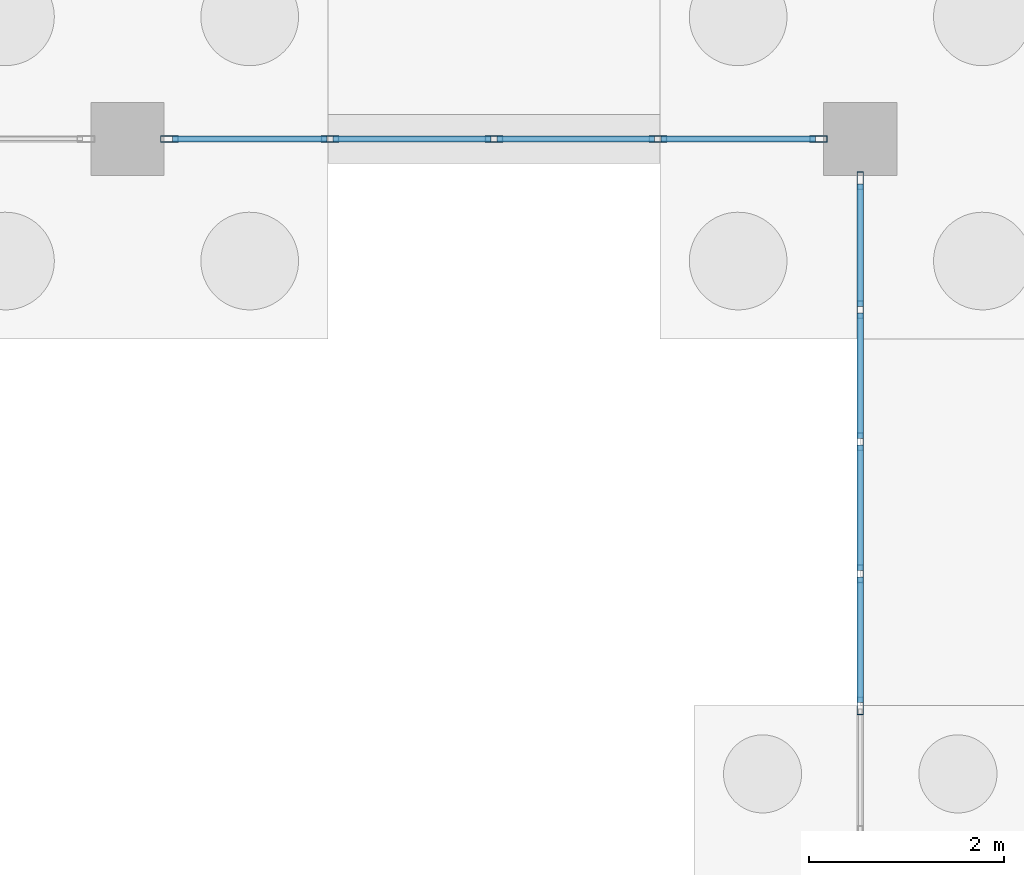
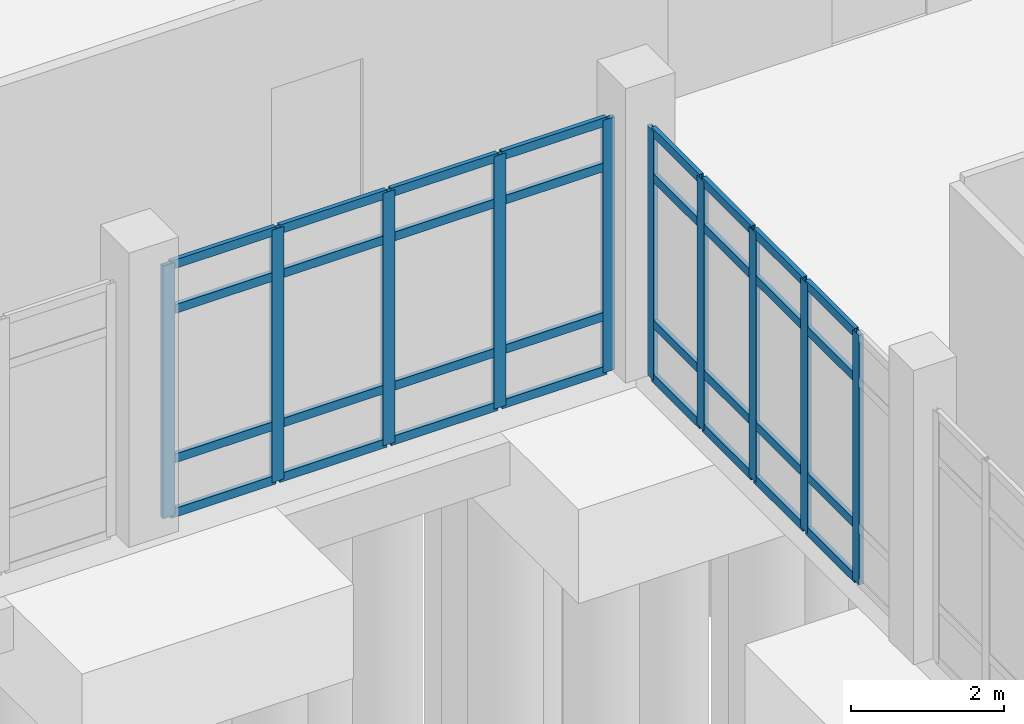
# One storey, part 32 of 173: 42 members, 2 elements without a shape of their own.
"""IFC4 building model written with IfcOpenShell, lengths in metres."""

from ifc_helpers import new_model, si_unit, direction, frame, origin, origin_2d, place, context, subcontext, project, spatial, hollow_rectangle, extrude, material, layer, layer_set, material_profile, profile_set, type_object, element, aggregate, save


model = new_model("IFC4")

# Units and contexts
model_context = context("Model", 3, precision=1e-05, world=origin(), true_north=direction((0.0, 1.0)))
body_context = subcontext(model_context, "Body", "Model", "MODEL_VIEW")
ifc_project = project(units=[si_unit("LENGTHUNIT", "METRE"), si_unit("AREAUNIT", "SQUARE_METRE"), si_unit("VOLUMEUNIT", "CUBIC_METRE"), si_unit("PLANEANGLEUNIT", "RADIAN"), si_unit("MASSUNIT", "GRAM", prefix="KILO")], contexts=[model_context])

# Site, building, storey
site_placement = place(None, origin())
site = spatial("IfcSite", under=ifc_project, at=site_placement, CompositionType="ELEMENT")
building_placement = place(site_placement, origin())
building = spatial("IfcBuilding", under=site, at=building_placement, Name="Mawjan Specialist Oncology Clinic", CompositionType="ELEMENT")
storey_placement = place(building_placement, origin())
storey = spatial("IfcBuildingStorey", under=building, at=storey_placement, Name="L00", CompositionType="ELEMENT", Elevation=0.0)

# Curtain wall, members
ifc_material_1 = material(Name="Unitised spectrally selective aluminium curtain wall", Category="aluminium")
ifc_layer_1 = layer(ifc_material_1, 0.179931640625, Name="Unitised spectrally selective aluminium curtain wall", Category="aluminium")
ifc_layer_set_1 = layer_set([ifc_layer_1], Name="Unitised spectrally selective aluminium curtain wall")
curtain_wall_type_1 = type_object("IfcCurtainWallType", Name="CW-28", PredefinedType="NOTDEFINED", material=ifc_layer_set_1)
curtain_wall_1_placement = place(storey_placement, origin())
curtain_wall_1 = element("IfcCurtainWall", 1, at=curtain_wall_1_placement, inside=storey, type_object=curtain_wall_type_1, Name="L00 Unitised Curtain Wall CW-L00-051", PredefinedType="NOTDEFINED")
ifc_material_2 = material(Name="Thermally broken aluminium 6063-T6", Category="aluminium")
ifc_material_profile_1 = material_profile(ifc_material_2, hollow_rectangle(XDim=0.06494140625, YDim=0.179931640625, WallThickness=0.00390625, at=origin_2d()), Name="ALU MULLION 180x65x4", Category="aluminium")
ifc_profile_set_1 = profile_set([ifc_material_profile_1], Name="Thermally broken aluminium 6063-T6")
member_type_1 = type_object("IfcMemberType", Name="CW-M180", PredefinedType="MULLION", material=ifc_profile_set_1)
member_1_placement = place(storey_placement, frame((30.0, 24.9970703125, 0.0), z_axis=(0.0, 0.0, 1.0), x_axis=(-1.0, 0.0, 0.0)))
member_1 = element("IfcMember", 2, at=member_1_placement, type_object=member_type_1, Name="CW-28 mullion 2", PredefinedType="MULLION", context=body_context, shape_type="SweptSolid", body=[
    extrude(hollow_rectangle(XDim=0.06494140625, YDim=0.179931640625, WallThickness=0.00390625, at=origin_2d()), origin(), (0.0, 0.0, 1.0), 3.985107421875),
])
member_2_placement = place(storey_placement, frame((30.0, 26.34912109375, 0.0), z_axis=(0.0, 0.0, 1.0), x_axis=(-1.0, 0.0, 0.0)))
member_2 = element("IfcMember", 3, at=member_2_placement, type_object=member_type_1, Name="CW-28 mullion 3", PredefinedType="MULLION", context=body_context, shape_type="SweptSolid", body=[
    extrude(hollow_rectangle(XDim=0.06494140625, YDim=0.179931640625, WallThickness=0.00390625, at=origin_2d()), origin(), (0.0, 0.0, 1.0), 3.985107421875),
])
member_3_placement = place(storey_placement, frame((30.0, 27.700927734375, 0.0), z_axis=(0.0, 0.0, 1.0), x_axis=(-1.0, 0.0, 0.0)))
member_3 = element("IfcMember", 4, at=member_3_placement, type_object=member_type_1, Name="CW-28 mullion 4", PredefinedType="MULLION", context=body_context, shape_type="SweptSolid", body=[
    extrude(hollow_rectangle(XDim=0.06494140625, YDim=0.179931640625, WallThickness=0.00390625, at=origin_2d()), origin(), (0.0, 0.0, 1.0), 3.985107421875),
])
member_4_placement = place(storey_placement, frame((30.0, 29.052978515625, 0.0), z_axis=(0.0, 0.0, 1.0), x_axis=(-1.0, 0.0, 0.0)))
member_4 = element("IfcMember", 5, at=member_4_placement, type_object=member_type_1, Name="CW-28 mullion 5", PredefinedType="MULLION", context=body_context, shape_type="SweptSolid", body=[
    extrude(hollow_rectangle(XDim=0.06494140625, YDim=0.179931640625, WallThickness=0.00390625, at=origin_2d()), origin(), (0.0, 0.0, 1.0), 3.985107421875),
])
member_5_placement = place(storey_placement, frame((30.0, 30.37255859375, 0.0), z_axis=(0.0, 0.0, 1.0), x_axis=(-1.0, 0.0, 0.0)))
member_5 = element("IfcMember", 6, at=member_5_placement, type_object=member_type_1, Name="CW-28 mullion 6", PredefinedType="MULLION", context=body_context, shape_type="SweptSolid", body=[
    extrude(hollow_rectangle(XDim=0.06494140625, YDim=0.179931640625, WallThickness=0.00390625, at=origin_2d()), origin(), (0.0, 0.0, 1.0), 3.985107421875),
])

ifc_material_3 = material(Name="Unitised spectrally selective aluminium curtain wall", Category="aluminium")
ifc_layer_2 = layer(ifc_material_3, 0.179931640625, Name="Unitised spectrally selective aluminium curtain wall", Category="aluminium")
ifc_layer_set_2 = layer_set([ifc_layer_2], Name="Unitised spectrally selective aluminium curtain wall")
curtain_wall_type_2 = type_object("IfcCurtainWallType", Name="CW-02", PredefinedType="NOTDEFINED", material=ifc_layer_set_2)
curtain_wall_2_placement = place(storey_placement, origin())
curtain_wall_2 = element("IfcCurtainWall", 7, at=curtain_wall_2_placement, inside=storey, type_object=curtain_wall_type_2, Name="L00 Unitised Curtain Wall CW-L00-052", PredefinedType="NOTDEFINED")
member_6_placement = place(storey_placement, frame((29.572509765625, 30.800048828125, 0.0), z_axis=(0.0, 0.0, 1.0), x_axis=(0.0, -1.0, 0.0)))
member_6 = element("IfcMember", 8, at=member_6_placement, type_object=member_type_1, Name="CW-02 mullion 1", PredefinedType="MULLION", context=body_context, shape_type="SweptSolid", body=[
    extrude(hollow_rectangle(XDim=0.06494140625, YDim=0.179931640625, WallThickness=0.00390625, at=origin_2d()), origin(), (0.0, 0.0, 1.0), 4.034912109375),
])
member_7_placement = place(storey_placement, frame((27.927490234375, 30.800048828125, 0.0), z_axis=(0.0, 0.0, 1.0), x_axis=(0.0, -1.0, 0.0)))
member_7 = element("IfcMember", 9, at=member_7_placement, type_object=member_type_1, Name="CW-02 mullion 2", PredefinedType="MULLION", context=body_context, shape_type="SweptSolid", body=[
    extrude(hollow_rectangle(XDim=0.06494140625, YDim=0.179931640625, WallThickness=0.00390625, at=origin_2d()), origin(), (0.0, 0.0, 1.0), 4.034912109375),
])
member_8_placement = place(storey_placement, frame((26.25, 30.800048828125, 0.0), z_axis=(0.0, 0.0, 1.0), x_axis=(0.0, -1.0, 0.0)))
member_8 = element("IfcMember", 10, at=member_8_placement, type_object=member_type_1, Name="CW-02 mullion 3", PredefinedType="MULLION", context=body_context, shape_type="SweptSolid", body=[
    extrude(hollow_rectangle(XDim=0.06494140625, YDim=0.179931640625, WallThickness=0.00390625, at=origin_2d()), origin(), (0.0, 0.0, 1.0), 4.034912109375),
])
member_9_placement = place(storey_placement, frame((24.572509765625, 30.800048828125, 0.0), z_axis=(0.0, 0.0, 1.0), x_axis=(0.0, -1.0, 0.0)))
member_9 = element("IfcMember", 11, at=member_9_placement, type_object=member_type_1, Name="CW-02 mullion 4", PredefinedType="MULLION", context=body_context, shape_type="SweptSolid", body=[
    extrude(hollow_rectangle(XDim=0.06494140625, YDim=0.179931640625, WallThickness=0.00390625, at=origin_2d()), origin(), (0.0, 0.0, 1.0), 4.034912109375),
])
member_10_placement = place(storey_placement, frame((22.927490234375, 30.800048828125, 0.0), z_axis=(0.0, 0.0, 1.0), x_axis=(0.0, -1.0, 0.0)))
member_10 = element("IfcMember", 12, at=member_10_placement, type_object=member_type_1, Name="CW-02 mullion 5", PredefinedType="MULLION", context=body_context, shape_type="SweptSolid", body=[
    extrude(hollow_rectangle(XDim=0.06494140625, YDim=0.179931640625, WallThickness=0.00390625, at=origin_2d()), origin(), (0.0, 0.0, 1.0), 4.034912109375),
])

# Member
ifc_material_4 = material(Name="Thermally broken aluminium 6063-T6", Category="aluminium")
ifc_material_profile_2 = material_profile(ifc_material_4, hollow_rectangle(XDim=0.06494140625, YDim=0.139892578125, WallThickness=0.00390625, at=origin_2d()), Name="ALU TRANSOM 140x65x4", Category="aluminium")
ifc_profile_set_2 = profile_set([ifc_material_profile_2], Name="Thermally broken aluminium 6063-T6")
member_type_2 = type_object("IfcMemberType", Name="CW-T140", PredefinedType="USERDEFINED", material=ifc_profile_set_2)
member_11_placement = place(storey_placement, frame((30.0, 25.029541015625, 0.032470703125), z_axis=(0.0, 1.0, 0.0), x_axis=(-1.0, 0.0, 0.0)))
member_11 = element("IfcMember", 13, at=member_11_placement, type_object=member_type_2, Name="CW-28 transom 2.1", ObjectType="TRANSOM", PredefinedType="USERDEFINED", context=body_context, shape_type="SweptSolid", body=[
    extrude(hollow_rectangle(XDim=0.06494140625, YDim=0.139892578125, WallThickness=0.00390625, at=origin_2d()), origin(), (0.0, 0.0, 1.0), 1.286865234375),
])

member_12_placement = place(storey_placement, frame((30.0, 25.029541015625, 0.89990234375), z_axis=(0.0, 1.0, 0.0), x_axis=(-1.0, 0.0, 0.0)))
member_12 = element("IfcMember", 14, at=member_12_placement, type_object=member_type_2, Name="CW-28 transom 2.2", ObjectType="TRANSOM", PredefinedType="USERDEFINED", context=body_context, shape_type="SweptSolid", body=[
    extrude(hollow_rectangle(XDim=0.06494140625, YDim=0.139892578125, WallThickness=0.00390625, at=origin_2d()), origin(), (0.0, 0.0, 1.0), 1.286865234375),
])

member_13_placement = place(storey_placement, frame((30.0, 25.029541015625, 3.235107421875), z_axis=(0.0, 1.0, 0.0), x_axis=(-1.0, 0.0, 0.0)))
member_13 = element("IfcMember", 15, at=member_13_placement, type_object=member_type_2, Name="CW-28 transom 2.3", ObjectType="TRANSOM", PredefinedType="USERDEFINED", context=body_context, shape_type="SweptSolid", body=[
    extrude(hollow_rectangle(XDim=0.06494140625, YDim=0.139892578125, WallThickness=0.00390625, at=origin_2d()), origin(), (0.0, 0.0, 1.0), 1.286865234375),
])

member_14_placement = place(storey_placement, frame((30.0, 25.029541015625, 3.952392578125), z_axis=(0.0, 1.0, 0.0), x_axis=(-1.0, 0.0, 0.0)))
member_14 = element("IfcMember", 16, at=member_14_placement, type_object=member_type_2, Name="CW-28 transom 2.4", ObjectType="TRANSOM", PredefinedType="USERDEFINED", context=body_context, shape_type="SweptSolid", body=[
    extrude(hollow_rectangle(XDim=0.06494140625, YDim=0.139892578125, WallThickness=0.00390625, at=origin_2d()), origin(), (0.0, 0.0, 1.0), 1.286865234375),
])

member_15_placement = place(storey_placement, frame((30.0, 26.381591796875, 0.032470703125), z_axis=(0.0, 1.0, 0.0), x_axis=(-1.0, 0.0, 0.0)))
member_15 = element("IfcMember", 17, at=member_15_placement, type_object=member_type_2, Name="CW-28 transom 3.1", ObjectType="TRANSOM", PredefinedType="USERDEFINED", context=body_context, shape_type="SweptSolid", body=[
    extrude(hollow_rectangle(XDim=0.06494140625, YDim=0.139892578125, WallThickness=0.00390625, at=origin_2d()), origin(), (0.0, 0.0, 1.0), 1.286865234375),
])

member_16_placement = place(storey_placement, frame((30.0, 26.381591796875, 0.89990234375), z_axis=(0.0, 1.0, 0.0), x_axis=(-1.0, 0.0, 0.0)))
member_16 = element("IfcMember", 18, at=member_16_placement, type_object=member_type_2, Name="CW-28 transom 3.2", ObjectType="TRANSOM", PredefinedType="USERDEFINED", context=body_context, shape_type="SweptSolid", body=[
    extrude(hollow_rectangle(XDim=0.06494140625, YDim=0.139892578125, WallThickness=0.00390625, at=origin_2d()), origin(), (0.0, 0.0, 1.0), 1.286865234375),
])

member_17_placement = place(storey_placement, frame((30.0, 26.381591796875, 3.235107421875), z_axis=(0.0, 1.0, 0.0), x_axis=(-1.0, 0.0, 0.0)))
member_17 = element("IfcMember", 19, at=member_17_placement, type_object=member_type_2, Name="CW-28 transom 3.3", ObjectType="TRANSOM", PredefinedType="USERDEFINED", context=body_context, shape_type="SweptSolid", body=[
    extrude(hollow_rectangle(XDim=0.06494140625, YDim=0.139892578125, WallThickness=0.00390625, at=origin_2d()), origin(), (0.0, 0.0, 1.0), 1.286865234375),
])

member_18_placement = place(storey_placement, frame((30.0, 26.381591796875, 3.952392578125), z_axis=(0.0, 1.0, 0.0), x_axis=(-1.0, 0.0, 0.0)))
member_18 = element("IfcMember", 20, at=member_18_placement, type_object=member_type_2, Name="CW-28 transom 3.4", ObjectType="TRANSOM", PredefinedType="USERDEFINED", context=body_context, shape_type="SweptSolid", body=[
    extrude(hollow_rectangle(XDim=0.06494140625, YDim=0.139892578125, WallThickness=0.00390625, at=origin_2d()), origin(), (0.0, 0.0, 1.0), 1.286865234375),
])

member_19_placement = place(storey_placement, frame((30.0, 27.7333984375, 0.032470703125), z_axis=(0.0, 1.0, 0.0), x_axis=(-1.0, 0.0, 0.0)))
member_19 = element("IfcMember", 21, at=member_19_placement, type_object=member_type_2, Name="CW-28 transom 4.1", ObjectType="TRANSOM", PredefinedType="USERDEFINED", context=body_context, shape_type="SweptSolid", body=[
    extrude(hollow_rectangle(XDim=0.06494140625, YDim=0.139892578125, WallThickness=0.00390625, at=origin_2d()), origin(), (0.0, 0.0, 1.0), 1.287109375),
])

member_20_placement = place(storey_placement, frame((30.0, 27.7333984375, 0.89990234375), z_axis=(0.0, 1.0, 0.0), x_axis=(-1.0, 0.0, 0.0)))
member_20 = element("IfcMember", 22, at=member_20_placement, type_object=member_type_2, Name="CW-28 transom 4.2", ObjectType="TRANSOM", PredefinedType="USERDEFINED", context=body_context, shape_type="SweptSolid", body=[
    extrude(hollow_rectangle(XDim=0.06494140625, YDim=0.139892578125, WallThickness=0.00390625, at=origin_2d()), origin(), (0.0, 0.0, 1.0), 1.287109375),
])

member_21_placement = place(storey_placement, frame((30.0, 27.7333984375, 3.235107421875), z_axis=(0.0, 1.0, 0.0), x_axis=(-1.0, 0.0, 0.0)))
member_21 = element("IfcMember", 23, at=member_21_placement, type_object=member_type_2, Name="CW-28 transom 4.3", ObjectType="TRANSOM", PredefinedType="USERDEFINED", context=body_context, shape_type="SweptSolid", body=[
    extrude(hollow_rectangle(XDim=0.06494140625, YDim=0.139892578125, WallThickness=0.00390625, at=origin_2d()), origin(), (0.0, 0.0, 1.0), 1.287109375),
])

member_22_placement = place(storey_placement, frame((30.0, 27.7333984375, 3.952392578125), z_axis=(0.0, 1.0, 0.0), x_axis=(-1.0, 0.0, 0.0)))
member_22 = element("IfcMember", 24, at=member_22_placement, type_object=member_type_2, Name="CW-28 transom 4.4", ObjectType="TRANSOM", PredefinedType="USERDEFINED", context=body_context, shape_type="SweptSolid", body=[
    extrude(hollow_rectangle(XDim=0.06494140625, YDim=0.139892578125, WallThickness=0.00390625, at=origin_2d()), origin(), (0.0, 0.0, 1.0), 1.287109375),
])

member_23_placement = place(storey_placement, frame((30.0, 29.08544921875, 0.032470703125), z_axis=(0.0, 1.0, 0.0), x_axis=(-1.0, 0.0, 0.0)))
member_23 = element("IfcMember", 25, at=member_23_placement, type_object=member_type_2, Name="CW-28 transom 5.1", ObjectType="TRANSOM", PredefinedType="USERDEFINED", context=body_context, shape_type="SweptSolid", body=[
    extrude(hollow_rectangle(XDim=0.06494140625, YDim=0.139892578125, WallThickness=0.00390625, at=origin_2d()), origin(), (0.0, 0.0, 1.0), 1.254638671875),
])

member_24_placement = place(storey_placement, frame((30.0, 29.08544921875, 0.89990234375), z_axis=(0.0, 1.0, 0.0), x_axis=(-1.0, 0.0, 0.0)))
member_24 = element("IfcMember", 26, at=member_24_placement, type_object=member_type_2, Name="CW-28 transom 5.2", ObjectType="TRANSOM", PredefinedType="USERDEFINED", context=body_context, shape_type="SweptSolid", body=[
    extrude(hollow_rectangle(XDim=0.06494140625, YDim=0.139892578125, WallThickness=0.00390625, at=origin_2d()), origin(), (0.0, 0.0, 1.0), 1.254638671875),
])

member_25_placement = place(storey_placement, frame((30.0, 29.08544921875, 3.235107421875), z_axis=(0.0, 1.0, 0.0), x_axis=(-1.0, 0.0, 0.0)))
member_25 = element("IfcMember", 27, at=member_25_placement, type_object=member_type_2, Name="CW-28 transom 5.3", ObjectType="TRANSOM", PredefinedType="USERDEFINED", context=body_context, shape_type="SweptSolid", body=[
    extrude(hollow_rectangle(XDim=0.06494140625, YDim=0.139892578125, WallThickness=0.00390625, at=origin_2d()), origin(), (0.0, 0.0, 1.0), 1.254638671875),
])

member_26_placement = place(storey_placement, frame((30.0, 29.08544921875, 3.952392578125), z_axis=(0.0, 1.0, 0.0), x_axis=(-1.0, 0.0, 0.0)))
member_26 = element("IfcMember", 28, at=member_26_placement, type_object=member_type_2, Name="CW-28 transom 5.4", ObjectType="TRANSOM", PredefinedType="USERDEFINED", context=body_context, shape_type="SweptSolid", body=[
    extrude(hollow_rectangle(XDim=0.06494140625, YDim=0.139892578125, WallThickness=0.00390625, at=origin_2d()), origin(), (0.0, 0.0, 1.0), 1.254638671875),
])

aggregate(curtain_wall_1, [member_1, member_2, member_3, member_4, member_5, member_11, member_12, member_13, member_14, member_15, member_16, member_17, member_18, member_19, member_20, member_21, member_22, member_23, member_24, member_25, member_26])

member_27_placement = place(storey_placement, frame((29.5400390625, 30.800048828125, 0.032470703125), z_axis=(-1.0, 0.0, 0.0), x_axis=(0.0, -1.0, 0.0)))
member_27 = element("IfcMember", 29, at=member_27_placement, type_object=member_type_2, Name="CW-02 transom 1.1", ObjectType="TRANSOM", PredefinedType="USERDEFINED", context=body_context, shape_type="SweptSolid", body=[
    extrude(hollow_rectangle(XDim=0.06494140625, YDim=0.139892578125, WallThickness=0.00390625, at=origin_2d()), origin(), (0.0, 0.0, 1.0), 1.580078125),
])

member_28_placement = place(storey_placement, frame((29.5400390625, 30.800048828125, 0.89990234375), z_axis=(-1.0, 0.0, 0.0), x_axis=(0.0, -1.0, 0.0)))
member_28 = element("IfcMember", 30, at=member_28_placement, type_object=member_type_2, Name="CW-02 transom 1.2", ObjectType="TRANSOM", PredefinedType="USERDEFINED", context=body_context, shape_type="SweptSolid", body=[
    extrude(hollow_rectangle(XDim=0.06494140625, YDim=0.139892578125, WallThickness=0.00390625, at=origin_2d()), origin(), (0.0, 0.0, 1.0), 1.580078125),
])

member_29_placement = place(storey_placement, frame((29.5400390625, 30.800048828125, 3.284912109375), z_axis=(-1.0, 0.0, 0.0), x_axis=(0.0, -1.0, 0.0)))
member_29 = element("IfcMember", 31, at=member_29_placement, type_object=member_type_2, Name="CW-02 transom 1.3", ObjectType="TRANSOM", PredefinedType="USERDEFINED", context=body_context, shape_type="SweptSolid", body=[
    extrude(hollow_rectangle(XDim=0.06494140625, YDim=0.139892578125, WallThickness=0.00390625, at=origin_2d()), origin(), (0.0, 0.0, 1.0), 1.580078125),
])

member_30_placement = place(storey_placement, frame((29.5400390625, 30.800048828125, 4.00244140625), z_axis=(-1.0, 0.0, 0.0), x_axis=(0.0, -1.0, 0.0)))
member_30 = element("IfcMember", 32, at=member_30_placement, type_object=member_type_2, Name="CW-02 transom 1.4", ObjectType="TRANSOM", PredefinedType="USERDEFINED", context=body_context, shape_type="SweptSolid", body=[
    extrude(hollow_rectangle(XDim=0.06494140625, YDim=0.139892578125, WallThickness=0.00390625, at=origin_2d()), origin(), (0.0, 0.0, 1.0), 1.580078125),
])

member_31_placement = place(storey_placement, frame((27.89501953125, 30.800048828125, 0.032470703125), z_axis=(-1.0, 0.0, 0.0), x_axis=(0.0, -1.0, 0.0)))
member_31 = element("IfcMember", 33, at=member_31_placement, type_object=member_type_2, Name="CW-02 transom 2.1", ObjectType="TRANSOM", PredefinedType="USERDEFINED", context=body_context, shape_type="SweptSolid", body=[
    extrude(hollow_rectangle(XDim=0.06494140625, YDim=0.139892578125, WallThickness=0.00390625, at=origin_2d()), origin(), (0.0, 0.0, 1.0), 1.612548828125),
])

member_32_placement = place(storey_placement, frame((27.89501953125, 30.800048828125, 0.89990234375), z_axis=(-1.0, 0.0, 0.0), x_axis=(0.0, -1.0, 0.0)))
member_32 = element("IfcMember", 34, at=member_32_placement, type_object=member_type_2, Name="CW-02 transom 2.2", ObjectType="TRANSOM", PredefinedType="USERDEFINED", context=body_context, shape_type="SweptSolid", body=[
    extrude(hollow_rectangle(XDim=0.06494140625, YDim=0.139892578125, WallThickness=0.00390625, at=origin_2d()), origin(), (0.0, 0.0, 1.0), 1.612548828125),
])

member_33_placement = place(storey_placement, frame((27.89501953125, 30.800048828125, 3.284912109375), z_axis=(-1.0, 0.0, 0.0), x_axis=(0.0, -1.0, 0.0)))
member_33 = element("IfcMember", 35, at=member_33_placement, type_object=member_type_2, Name="CW-02 transom 2.3", ObjectType="TRANSOM", PredefinedType="USERDEFINED", context=body_context, shape_type="SweptSolid", body=[
    extrude(hollow_rectangle(XDim=0.06494140625, YDim=0.139892578125, WallThickness=0.00390625, at=origin_2d()), origin(), (0.0, 0.0, 1.0), 1.612548828125),
])

member_34_placement = place(storey_placement, frame((27.89501953125, 30.800048828125, 4.00244140625), z_axis=(-1.0, 0.0, 0.0), x_axis=(0.0, -1.0, 0.0)))
member_34 = element("IfcMember", 36, at=member_34_placement, type_object=member_type_2, Name="CW-02 transom 2.4", ObjectType="TRANSOM", PredefinedType="USERDEFINED", context=body_context, shape_type="SweptSolid", body=[
    extrude(hollow_rectangle(XDim=0.06494140625, YDim=0.139892578125, WallThickness=0.00390625, at=origin_2d()), origin(), (0.0, 0.0, 1.0), 1.612548828125),
])

member_35_placement = place(storey_placement, frame((26.217529296875, 30.800048828125, 0.032470703125), z_axis=(-1.0, 0.0, 0.0), x_axis=(0.0, -1.0, 0.0)))
member_35 = element("IfcMember", 37, at=member_35_placement, type_object=member_type_2, Name="CW-02 transom 3.1", ObjectType="TRANSOM", PredefinedType="USERDEFINED", context=body_context, shape_type="SweptSolid", body=[
    extrude(hollow_rectangle(XDim=0.06494140625, YDim=0.139892578125, WallThickness=0.00390625, at=origin_2d()), origin(), (0.0, 0.0, 1.0), 1.612548828125),
])

member_36_placement = place(storey_placement, frame((26.217529296875, 30.800048828125, 0.89990234375), z_axis=(-1.0, 0.0, 0.0), x_axis=(0.0, -1.0, 0.0)))
member_36 = element("IfcMember", 38, at=member_36_placement, type_object=member_type_2, Name="CW-02 transom 3.2", ObjectType="TRANSOM", PredefinedType="USERDEFINED", context=body_context, shape_type="SweptSolid", body=[
    extrude(hollow_rectangle(XDim=0.06494140625, YDim=0.139892578125, WallThickness=0.00390625, at=origin_2d()), origin(), (0.0, 0.0, 1.0), 1.612548828125),
])

member_37_placement = place(storey_placement, frame((26.217529296875, 30.800048828125, 3.284912109375), z_axis=(-1.0, 0.0, 0.0), x_axis=(0.0, -1.0, 0.0)))
member_37 = element("IfcMember", 39, at=member_37_placement, type_object=member_type_2, Name="CW-02 transom 3.3", ObjectType="TRANSOM", PredefinedType="USERDEFINED", context=body_context, shape_type="SweptSolid", body=[
    extrude(hollow_rectangle(XDim=0.06494140625, YDim=0.139892578125, WallThickness=0.00390625, at=origin_2d()), origin(), (0.0, 0.0, 1.0), 1.612548828125),
])

member_38_placement = place(storey_placement, frame((26.217529296875, 30.800048828125, 4.00244140625), z_axis=(-1.0, 0.0, 0.0), x_axis=(0.0, -1.0, 0.0)))
member_38 = element("IfcMember", 40, at=member_38_placement, type_object=member_type_2, Name="CW-02 transom 3.4", ObjectType="TRANSOM", PredefinedType="USERDEFINED", context=body_context, shape_type="SweptSolid", body=[
    extrude(hollow_rectangle(XDim=0.06494140625, YDim=0.139892578125, WallThickness=0.00390625, at=origin_2d()), origin(), (0.0, 0.0, 1.0), 1.612548828125),
])

member_39_placement = place(storey_placement, frame((24.5400390625, 30.800048828125, 0.032470703125), z_axis=(-1.0, 0.0, 0.0), x_axis=(0.0, -1.0, 0.0)))
member_39 = element("IfcMember", 41, at=member_39_placement, type_object=member_type_2, Name="CW-02 transom 4.1", ObjectType="TRANSOM", PredefinedType="USERDEFINED", context=body_context, shape_type="SweptSolid", body=[
    extrude(hollow_rectangle(XDim=0.06494140625, YDim=0.139892578125, WallThickness=0.00390625, at=origin_2d()), origin(), (0.0, 0.0, 1.0), 1.580078125),
])

member_40_placement = place(storey_placement, frame((24.5400390625, 30.800048828125, 0.89990234375), z_axis=(-1.0, 0.0, 0.0), x_axis=(0.0, -1.0, 0.0)))
member_40 = element("IfcMember", 42, at=member_40_placement, type_object=member_type_2, Name="CW-02 transom 4.2", ObjectType="TRANSOM", PredefinedType="USERDEFINED", context=body_context, shape_type="SweptSolid", body=[
    extrude(hollow_rectangle(XDim=0.06494140625, YDim=0.139892578125, WallThickness=0.00390625, at=origin_2d()), origin(), (0.0, 0.0, 1.0), 1.580078125),
])

member_41_placement = place(storey_placement, frame((24.5400390625, 30.800048828125, 3.284912109375), z_axis=(-1.0, 0.0, 0.0), x_axis=(0.0, -1.0, 0.0)))
member_41 = element("IfcMember", 43, at=member_41_placement, type_object=member_type_2, Name="CW-02 transom 4.3", ObjectType="TRANSOM", PredefinedType="USERDEFINED", context=body_context, shape_type="SweptSolid", body=[
    extrude(hollow_rectangle(XDim=0.06494140625, YDim=0.139892578125, WallThickness=0.00390625, at=origin_2d()), origin(), (0.0, 0.0, 1.0), 1.580078125),
])

member_42_placement = place(storey_placement, frame((24.5400390625, 30.800048828125, 4.00244140625), z_axis=(-1.0, 0.0, 0.0), x_axis=(0.0, -1.0, 0.0)))
member_42 = element("IfcMember", 44, at=member_42_placement, type_object=member_type_2, Name="CW-02 transom 4.4", ObjectType="TRANSOM", PredefinedType="USERDEFINED", context=body_context, shape_type="SweptSolid", body=[
    extrude(hollow_rectangle(XDim=0.06494140625, YDim=0.139892578125, WallThickness=0.00390625, at=origin_2d()), origin(), (0.0, 0.0, 1.0), 1.580078125),
])

aggregate(curtain_wall_2, [member_6, member_7, member_8, member_9, member_10, member_27, member_28, member_29, member_30, member_31, member_32, member_33, member_34, member_35, member_36, member_37, member_38, member_39, member_40, member_41, member_42])

save(model, "model.ifc")
